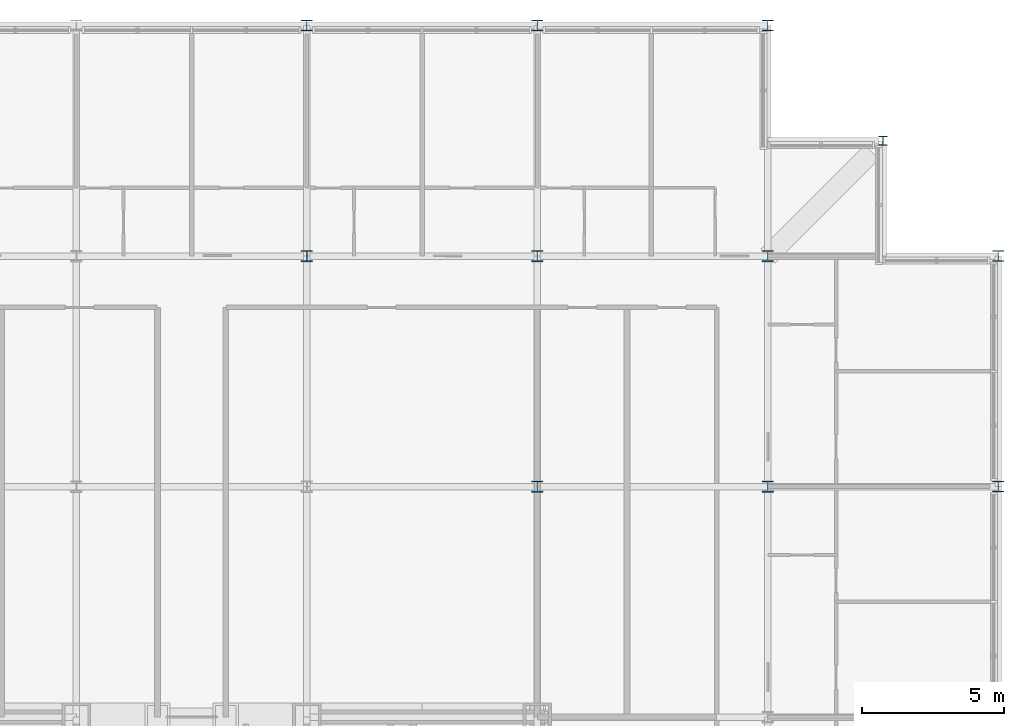
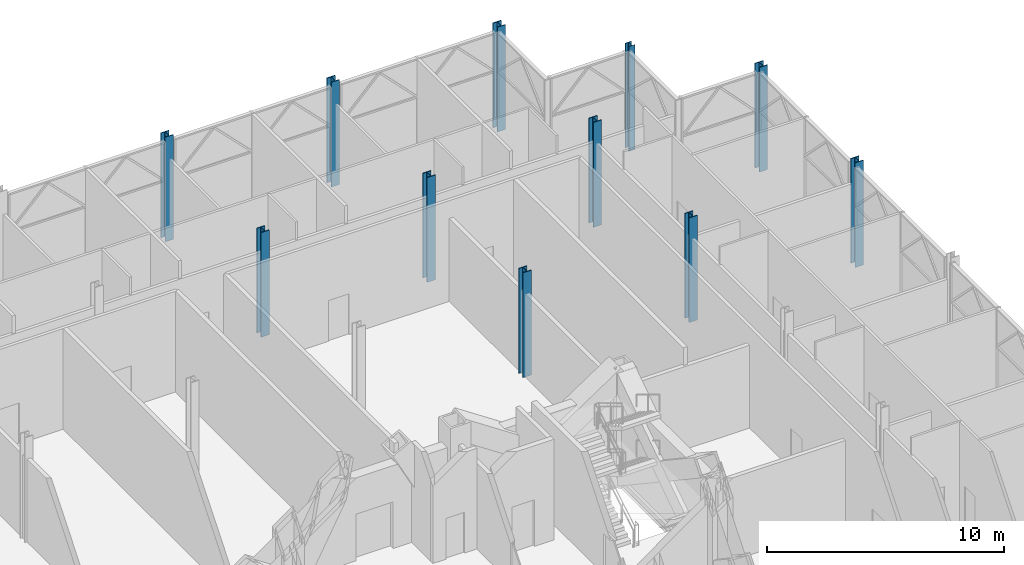
# One storey, part 4 of 26: 11 columns.
"""IFC4 building model written with IfcOpenShell, lengths in metres."""

from ifc_helpers import new_model, si_unit, direction, frame, origin, origin_2d, place, context, subcontext, project, spatial, i_section, extrude, material, material_profile, profile_set, type_object, element, save


model = new_model("IFC4")

# Units and contexts
model_context = context("Model", 3, precision=1e-05, world=origin(), true_north=direction((0.0, 1.0)))
body_context = subcontext(model_context, "Body", "Model", "MODEL_VIEW")
ifc_project = project(units=[si_unit("LENGTHUNIT", "METRE"), si_unit("AREAUNIT", "SQUARE_METRE"), si_unit("VOLUMEUNIT", "CUBIC_METRE"), si_unit("PLANEANGLEUNIT", "RADIAN"), si_unit("MASSUNIT", "GRAM", prefix="KILO")], contexts=[model_context])

# Site, building, storey
site_placement = place(None, origin())
site = spatial("IfcSite", under=ifc_project, at=site_placement, CompositionType="ELEMENT")
building_placement = place(site_placement, origin())
building = spatial("IfcBuilding", under=site, at=building_placement, Name="Kopane Lantern Tower", CompositionType="ELEMENT")
storey_placement = place(building_placement, frame((0.0, 0.0, 293.10009765625)))
storey = spatial("IfcBuildingStorey", under=building, at=storey_placement, Name="L75", CompositionType="ELEMENT", Elevation=293.10009765625)

# Columns
ifc_material_1 = material(Name="Steel S355JR", Category="steel")
ifc_material_profile_1 = material_profile(ifc_material_1, i_section(OverallWidth=0.307373046875, OverallDepth=0.314453125, WebThickness=0.011962890625, FlangeThickness=0.018798828125, FilletRadius=0.01513671875, at=origin_2d()), Name="UC 305x305x118")
ifc_profile_set_1 = profile_set([ifc_material_profile_1], Name="Steel S355JR")
column_type_1 = type_object("IfcColumnType", Name="COLUMN UC 305x305x118", PredefinedType="COLUMN", material=ifc_profile_set_1)
column_placement = place(storey_placement, frame((52.64990234375, 60.75, 0.0), z_axis=(0.0, 0.0, 1.0), x_axis=(1.0, 0.0, 0.0)))
element("IfcColumn", 1, at=column_placement, inside=storey, type_object=column_type_1, Name="Column 52.65/60.75 L75", PredefinedType="COLUMN", context=body_context, shape_type="SweptSolid", body=[
    extrude(i_section(OverallWidth=0.307373046875, OverallDepth=0.314453125, WebThickness=0.011962890625, FlangeThickness=0.018798828125, FilletRadius=0.01513671875, at=origin_2d()), origin(), (0.0, 0.0, 1.0), 5.39990234375),
])
ifc_material_2 = material(Name="Steel S355JR", Category="steel")
ifc_material_profile_2 = material_profile(ifc_material_2, i_section(OverallWidth=0.39892578125, OverallDepth=0.3935546875, WebThickness=0.022705078125, FlangeThickness=0.03662109375, FilletRadius=0.01513671875, at=origin_2d()), Name="UC 356x406x287")
ifc_profile_set_2 = profile_set([ifc_material_profile_2], Name="Steel S355JR")
column_type_2 = type_object("IfcColumnType", Name="COLUMN UC 356x406x287", PredefinedType="COLUMN", material=ifc_profile_set_2)
for number, where, z_axis, x_axis, name in (
    (2, (32.39990234375, 64.800048828125, 0.0), (0.0, 0.0, 1.0), (1.0, 0.0, 0.0), "Column 6/K L75"),
    (3, (40.5, 64.800048828125, 0.0), (0.0, 0.0, 1.0), (1.0, 0.0, 0.0), "Column 7/K L75"),
    (4, (48.60009765625, 64.800048828125, 0.0), (0.0, 0.0, 1.0), (1.0, 0.0, 0.0), "Column 8/K L75"),
    (5, (56.699951171875, 48.60009765625, 0.0), (0.0, 0.0, 1.0), (1.0, 0.0, 0.0), "Column 9/H L75"),
    (6, (56.699951171875, 56.699951171875, 0.0), (0.0, 0.0, 1.0), (1.0, 0.0, 0.0), "Column 9/J L75"),
):
    element("IfcColumn", number, at=place(storey_placement, frame(where, z_axis=z_axis, x_axis=x_axis)), inside=storey, type_object=column_type_2, Name=name, PredefinedType="COLUMN", context=body_context, shape_type="SweptSolid", body=[
        extrude(i_section(OverallWidth=0.39892578125, OverallDepth=0.3935546875, WebThickness=0.022705078125, FlangeThickness=0.03662109375, FilletRadius=0.01513671875, at=origin_2d()), origin(), (0.0, 0.0, 1.0), 5.39990234375),
    ])
ifc_material_3 = material(Name="Steel S355JR", Category="steel")
ifc_material_profile_3 = material_profile(ifc_material_3, i_section(OverallWidth=0.403076171875, OverallDepth=0.406494140625, WebThickness=0.026611328125, FlangeThickness=0.04296875, FilletRadius=0.01513671875, at=origin_2d()), Name="UC 356x406x340")
ifc_profile_set_3 = profile_set([ifc_material_profile_3], Name="Steel S355JR")
column_type_3 = type_object("IfcColumnType", Name="COLUMN UC 356x406x340", PredefinedType="COLUMN", material=ifc_profile_set_3)
for number, where, z_axis, x_axis, name in (
    (7, (32.39990234375, 56.699951171875, 0.0), (0.0, 0.0, 1.0), (1.0, 0.0, 0.0), "Column 6/J L75"),
    (8, (40.5, 48.60009765625, 0.0), (0.0, 0.0, 1.0), (1.0, 0.0, 0.0), "Column 7/H L75"),
    (9, (40.5, 56.699951171875, 0.0), (0.0, 0.0, 1.0), (1.0, 0.0, 0.0), "Column 7/J L75"),
    (10, (48.60009765625, 48.60009765625, 0.0), (0.0, 0.0, 1.0), (1.0, 0.0, 0.0), "Column 8/H L75"),
    (11, (48.60009765625, 56.699951171875, 0.0), (0.0, 0.0, 1.0), (1.0, 0.0, 0.0), "Column 8/J L75"),
):
    element("IfcColumn", number, at=place(storey_placement, frame(where, z_axis=z_axis, x_axis=x_axis)), inside=storey, type_object=column_type_3, Name=name, PredefinedType="COLUMN", context=body_context, shape_type="SweptSolid", body=[
        extrude(i_section(OverallWidth=0.403076171875, OverallDepth=0.406494140625, WebThickness=0.026611328125, FlangeThickness=0.04296875, FilletRadius=0.01513671875, at=origin_2d()), origin(), (0.0, 0.0, 1.0), 5.39990234375),
    ])

save(model, "model.ifc")
